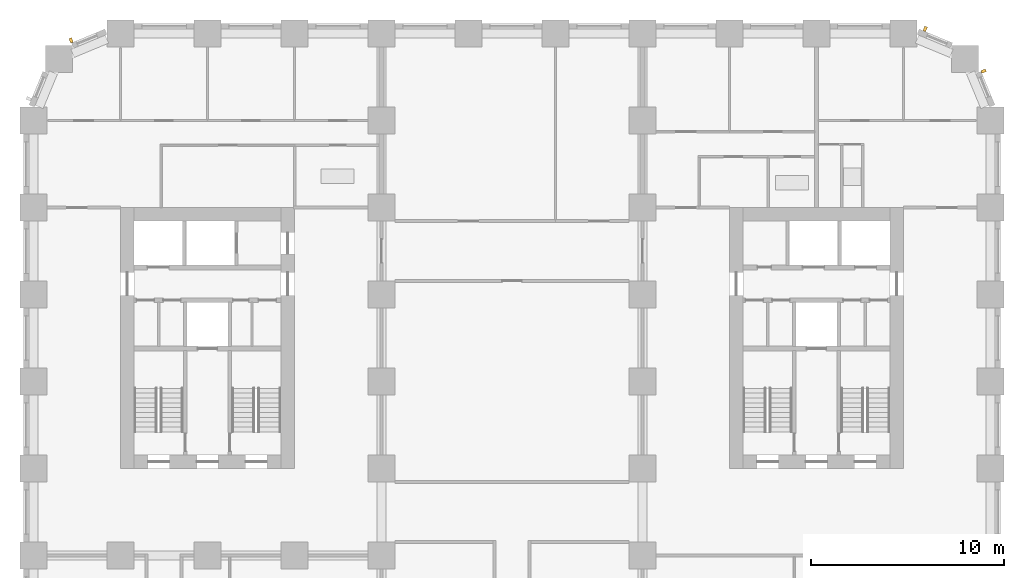
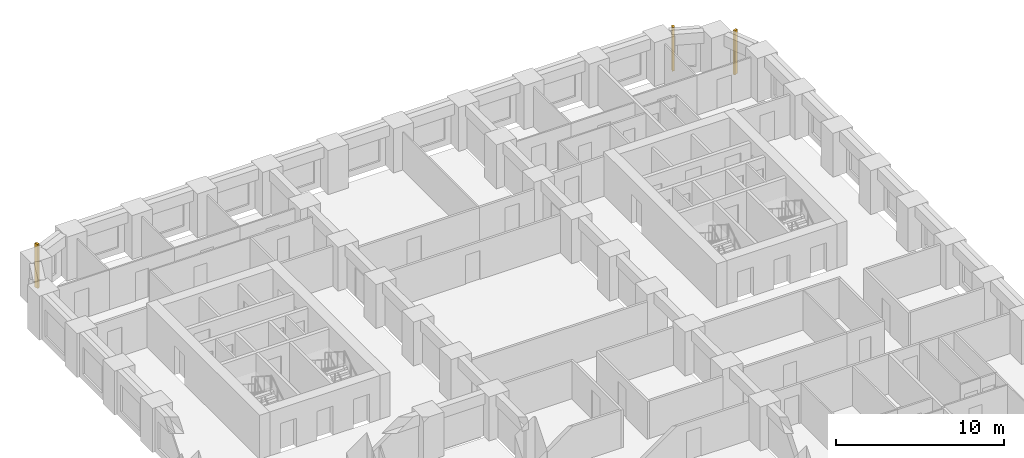
# One storey, part 11 of 12: 3 shading devices.
"""IFC4 building model written with IfcOpenShell, lengths in metres."""

from ifc_helpers import new_model, si_unit, direction, frame, origin, origin_2d, place, context, subcontext, project, spatial, rectangle, extrude, material, type_object, element, save


model = new_model("IFC4")

# Units and contexts
model_context = context("Model", 3, precision=1e-05, world=origin(), true_north=direction((0.0, 1.0)))
body_context = subcontext(model_context, "Body", "Model", "MODEL_VIEW")
ifc_project = project(units=[si_unit("LENGTHUNIT", "METRE"), si_unit("AREAUNIT", "SQUARE_METRE"), si_unit("VOLUMEUNIT", "CUBIC_METRE"), si_unit("PLANEANGLEUNIT", "RADIAN"), si_unit("MASSUNIT", "GRAM", prefix="KILO")], contexts=[model_context])

# Site, building, storey
site_placement = place(None, origin())
site = spatial("IfcSite", under=ifc_project, at=site_placement, CompositionType="ELEMENT")
building_placement = place(site_placement, origin())
building = spatial("IfcBuilding", under=site, at=building_placement, Name="Girih Gate Residences", CompositionType="ELEMENT")
storey_placement = place(building_placement, frame((0.0, 0.0, 59.199951171875)))
storey = spatial("IfcBuildingStorey", under=building, at=storey_placement, Name="L15", CompositionType="ELEMENT", Elevation=59.199951171875)

# Shading devices
ifc_material = material(Name="Precast concrete C50/60", Category="concrete")
shading_device_type = type_object("IfcShadingDeviceType", Name="Corner rib 150x250", PredefinedType="USERDEFINED", material=ifc_material)
for number, where, z_axis, x_axis, name in (
    (1, (49.14501953125, 47.5556640625, 0.0), (0.0, 0.0, 1.0), (-0.382683432365, 0.923879532511, 0.0), "Corner rib NE0495_0450.0"),
    (2, (46.123779296875, 49.738037109375, 0.0), (0.0, 0.0, 1.0), (-0.923879532511, 0.382683432365, 0.0), "Corner rib NE0482_0482.0"),
    (3, (1.9443359375, 49.14501953125, 0.0), (0.0, 0.0, 1.0), (-0.923879532511, -0.382683432365, 0.0), "Corner rib NW0045_0495.0"),
):
    element("IfcShadingDevice", number, at=place(storey_placement, frame(where, z_axis=z_axis, x_axis=x_axis)), inside=storey, type_object=shading_device_type, Name=name, ObjectType="FIN", PredefinedType="USERDEFINED", context=body_context, shape_type="SweptSolid", body=[
        extrude(rectangle(XDim=0.14990234375, YDim=0.25, at=origin_2d()), origin(), (0.0, 0.0, 1.0), 3.199951171875),
    ])

save(model, "model.ifc")
